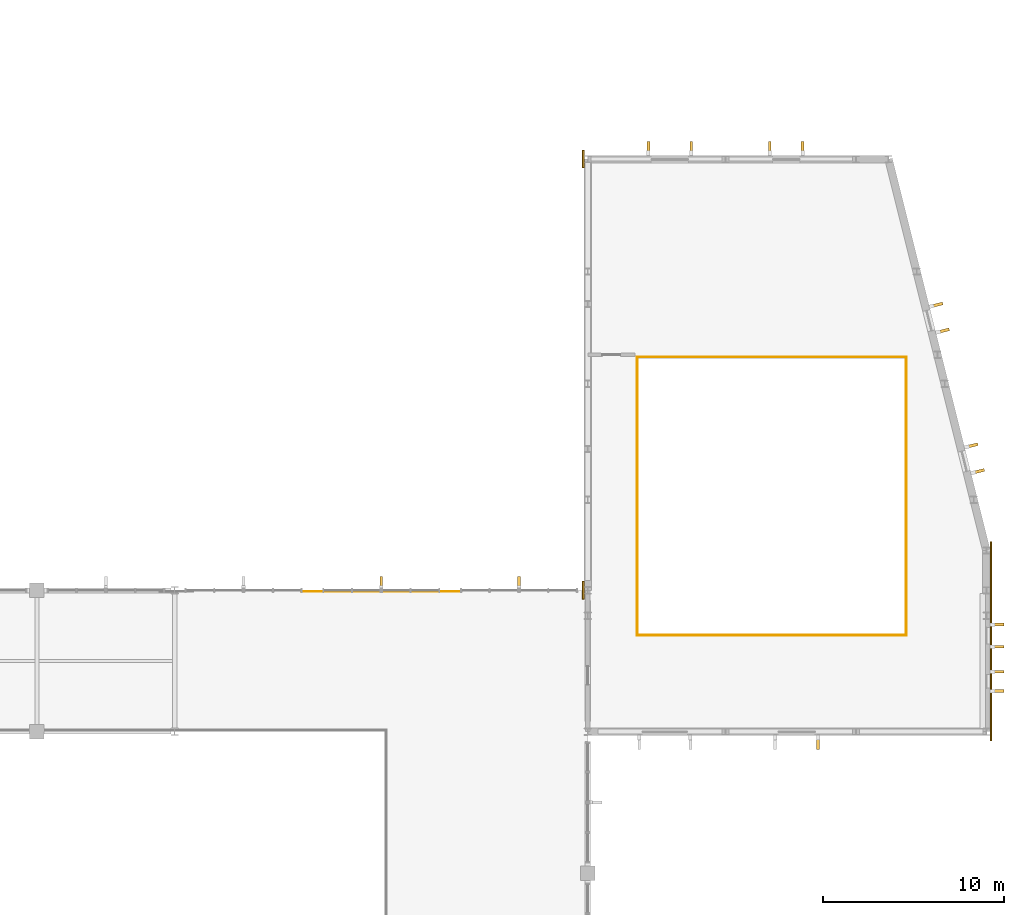
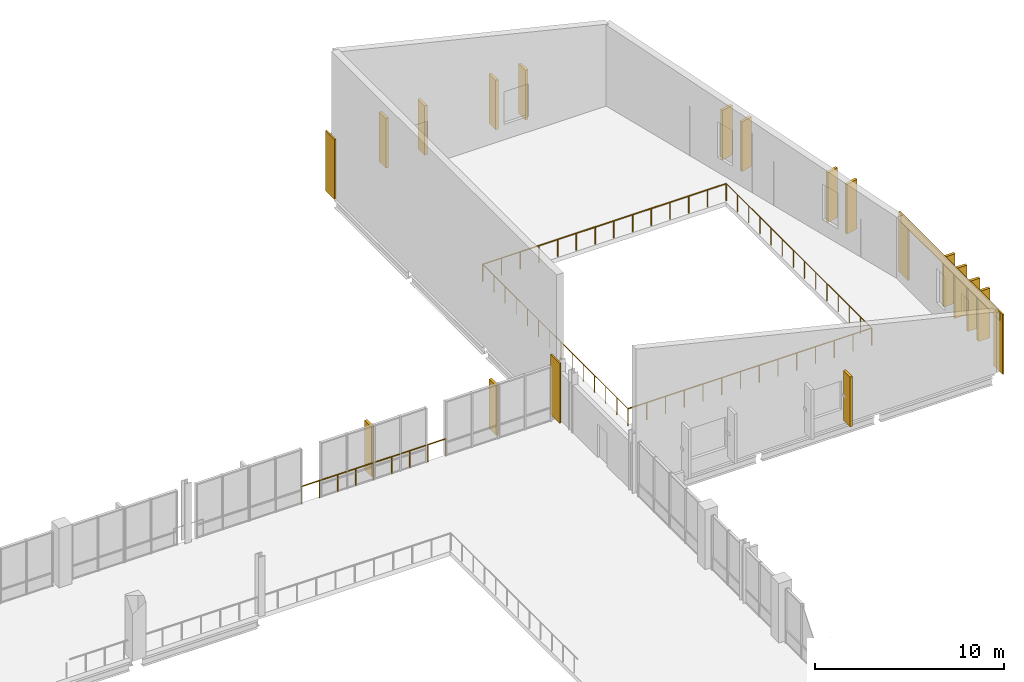
# One storey, part 64 of 64: 15 shading devices, 5 coverings, 5 railings.
"""IFC4 building model written with IfcOpenShell, lengths in metres."""

from ifc_helpers import new_model, si_unit, direction, frame, origin, origin_2d, place, context, subcontext, project, spatial, rectangle, circle, extrude, material, layer, layer_set, type_object, element, save


model = new_model("IFC4")

# Units and contexts
model_context = context("Model", 3, precision=1e-05, world=origin(), true_north=direction((0.0, 1.0)))
body_context = subcontext(model_context, "Body", "Model", "MODEL_VIEW")
ifc_project = project(units=[si_unit("LENGTHUNIT", "METRE"), si_unit("AREAUNIT", "SQUARE_METRE"), si_unit("VOLUMEUNIT", "CUBIC_METRE"), si_unit("PLANEANGLEUNIT", "RADIAN"), si_unit("MASSUNIT", "GRAM", prefix="KILO")], contexts=[model_context])

# Site, building, storey
site_placement = place(None, origin())
site = spatial("IfcSite", under=ifc_project, at=site_placement, CompositionType="ELEMENT")
building_placement = place(site_placement, origin())
building = spatial("IfcBuilding", under=site, at=building_placement, Name="Vervanel Yard Central Library", CompositionType="ELEMENT")
storey_placement = place(building_placement, frame((0.0, 0.0, 8.93994140625)))
storey = spatial("IfcBuildingStorey", under=building, at=storey_placement, Name="L02", CompositionType="ELEMENT", Elevation=8.93994140625)

# Coverings
ifc_material_1 = material(Name="Precast concrete C45/55", Category="concrete")
ifc_layer = layer(ifc_material_1, 0.0849609375, Category="concrete")
ifc_layer_set = layer_set([ifc_layer], Name="Precast concrete C45/55")
covering_type = type_object("IfcCoveringType", Name="Bush-Hammered Precast Architectural Cladding Panel", PredefinedType="CLADDING", material=ifc_layer_set)
covering_placement = place(storey_placement, frame((168.25, 79.39990234375, 3.320068359375), z_axis=(0.0, 0.0, 1.0), x_axis=(0.0, 1.0, 0.0)))
element("IfcCovering", 1, at=covering_placement, inside=storey, type_object=covering_type, Name="L02 Precast Concrete Spandrel Cornice EWALL-L02-0187", PredefinedType="CLADDING", context=body_context, shape_type="SweptSolid", body=[
    extrude(rectangle(XDim=10.449951171875, YDim=0.0849609375, at=origin_2d()), origin(), (0.0, 0.0, 1.0), 0.5400390625),
])
for number, where, z_axis, x_axis, name in (
    (2, (168.25244140625, 74.39990234375, 0.0), (0.0, 0.0, 1.0), (0.0, 1.0, 0.0), "L02 Precast Concrete Pier Pilaster EWALL-L02-0187-A"),
    (3, (168.25244140625, 84.39990234375, 0.0), (0.0, 0.0, 1.0), (0.0, 1.0, 0.0), "L02 Precast Concrete Pier Pilaster EWALL-L02-0187-B"),
    (4, (145.74755859375, 82.199951171875, 0.0), (0.0, 0.0, 1.0), (0.0, 1.0, 0.0), "L02 Precast Concrete Pier Pilaster EWALL-L02-0191-A"),
    (5, (145.74755859375, 106.0, 0.0), (0.0, 0.0, 1.0), (0.0, 1.0, 0.0), "L02 Precast Concrete Pier Pilaster EWALL-L02-0191-B"),
):
    element("IfcCovering", number, at=place(storey_placement, frame(where, z_axis=z_axis, x_axis=x_axis)), inside=storey, type_object=covering_type, Name=name, PredefinedType="CLADDING", context=body_context, shape_type="SweptSolid", body=[
        extrude(rectangle(XDim=0.97998046875, YDim=0.0849609375, at=origin_2d()), origin(), (0.0, 0.0, 1.0), 3.860107421875),
    ])

# Railings
ifc_material_2 = material(Name="Brushed stainless steel AISI 316", Category="steel")
railing_type = type_object("IfcRailingType", Name="Glazed Atrium & Gallery Balustrade 1120", PredefinedType="BALUSTRADE", material=ifc_material_2)
railing_1_placement = place(storey_placement, frame((130.199951171875, 82.139892578125, 0.0)))
element("IfcRailing", 6, at=railing_1_placement, inside=storey, type_object=railing_type, Name="L02 Perimeter Gap Guard V3-L02-N-GAP1", PredefinedType="BALUSTRADE", context=body_context, shape_type="SweptSolid", body=[
    extrude(circle(Radius=0.02392578125, at=origin_2d()), frame((0.0, 0.0, 1.09619140625), z_axis=(1.0, 0.0, 0.0), x_axis=(0.0, 1.0, 0.0)), (0.0, 0.0, 1.0), 8.800048828125),
    extrude(circle(Radius=0.02099609375, at=origin_2d()), origin(), (0.0, 0.0, 1.0), 1.072021484375),
    extrude(circle(Radius=0.02099609375, at=origin_2d()), frame((1.10009765625, 0.0, 0.0)), (0.0, 0.0, 1.0), 1.072021484375),
    extrude(circle(Radius=0.02099609375, at=origin_2d()), frame((2.199951171875, 0.0, 0.0)), (0.0, 0.0, 1.0), 1.072021484375),
    extrude(circle(Radius=0.02099609375, at=origin_2d()), frame((3.300048828125, 0.0, 0.0)), (0.0, 0.0, 1.0), 1.072021484375),
    extrude(circle(Radius=0.02099609375, at=origin_2d()), frame((4.39990234375, 0.0, 0.0)), (0.0, 0.0, 1.0), 1.072021484375),
    extrude(circle(Radius=0.02099609375, at=origin_2d()), frame((5.5, 0.0, 0.0)), (0.0, 0.0, 1.0), 1.072021484375),
    extrude(circle(Radius=0.02099609375, at=origin_2d()), frame((6.60009765625, 0.0, 0.0)), (0.0, 0.0, 1.0), 1.072021484375),
    extrude(circle(Radius=0.02099609375, at=origin_2d()), frame((7.699951171875, 0.0, 0.0)), (0.0, 0.0, 1.0), 1.072021484375),
    extrude(circle(Radius=0.02099609375, at=origin_2d()), frame((8.800048828125, 0.0, 0.0)), (0.0, 0.0, 1.0), 1.072021484375),
])
railing_2_placement = place(storey_placement, frame((148.719970703125, 79.719970703125, 0.0)))
element("IfcRailing", 7, at=railing_2_placement, inside=storey, type_object=railing_type, Name="L02 Void Guard V4AUD-GD-L02 S", PredefinedType="BALUSTRADE", context=body_context, shape_type="SweptSolid", body=[
    extrude(circle(Radius=0.02392578125, at=origin_2d()), frame((0.0, 0.0, 1.09619140625), z_axis=(1.0, 0.0, 0.0), x_axis=(0.0, 1.0, 0.0)), (0.0, 0.0, 1.0), 14.860107421875),
    extrude(circle(Radius=0.02099609375, at=origin_2d()), origin(), (0.0, 0.0, 1.0), 1.072021484375),
    extrude(circle(Radius=0.02099609375, at=origin_2d()), frame((1.14306640625, 0.0, 0.0)), (0.0, 0.0, 1.0), 1.072021484375),
    extrude(circle(Radius=0.02099609375, at=origin_2d()), frame((2.2861328125, 0.0, 0.0)), (0.0, 0.0, 1.0), 1.072021484375),
    extrude(circle(Radius=0.02099609375, at=origin_2d()), frame((3.42919921875, 0.0, 0.0)), (0.0, 0.0, 1.0), 1.072021484375),
    extrude(circle(Radius=0.02099609375, at=origin_2d()), frame((4.572265625, 0.0, 0.0)), (0.0, 0.0, 1.0), 1.072021484375),
    extrude(circle(Radius=0.02099609375, at=origin_2d()), frame((5.71533203125, 0.0, 0.0)), (0.0, 0.0, 1.0), 1.072021484375),
    extrude(circle(Radius=0.02099609375, at=origin_2d()), frame((6.8583984375, 0.0, 0.0)), (0.0, 0.0, 1.0), 1.072021484375),
    extrude(circle(Radius=0.02099609375, at=origin_2d()), frame((8.001708984375, 0.0, 0.0)), (0.0, 0.0, 1.0), 1.072021484375),
    extrude(circle(Radius=0.02099609375, at=origin_2d()), frame((9.144775390625, 0.0, 0.0)), (0.0, 0.0, 1.0), 1.072021484375),
    extrude(circle(Radius=0.02099609375, at=origin_2d()), frame((10.287841796875, 0.0, 0.0)), (0.0, 0.0, 1.0), 1.072021484375),
    extrude(circle(Radius=0.02099609375, at=origin_2d()), frame((11.430908203125, 0.0, 0.0)), (0.0, 0.0, 1.0), 1.072021484375),
    extrude(circle(Radius=0.02099609375, at=origin_2d()), frame((12.573974609375, 0.0, 0.0)), (0.0, 0.0, 1.0), 1.072021484375),
    extrude(circle(Radius=0.02099609375, at=origin_2d()), frame((13.717041015625, 0.0, 0.0)), (0.0, 0.0, 1.0), 1.072021484375),
    extrude(circle(Radius=0.02099609375, at=origin_2d()), frame((14.860107421875, 0.0, 0.0)), (0.0, 0.0, 1.0), 1.072021484375),
])
railing_3_placement = place(storey_placement, frame((163.580078125, 79.719970703125, 0.0)))
element("IfcRailing", 8, at=railing_3_placement, inside=storey, type_object=railing_type, Name="L02 Void Guard V4AUD-GD-L02 E", PredefinedType="BALUSTRADE", context=body_context, shape_type="SweptSolid", body=[
    extrude(circle(Radius=0.02392578125, at=origin_2d()), frame((0.0, 0.0, 1.09619140625), z_axis=(0.0, 1.0, 0.0), x_axis=(-1.0, 0.0, 0.0)), (0.0, 0.0, 1.0), 15.360107421875),
    extrude(circle(Radius=0.02099609375, at=origin_2d()), origin(), (0.0, 0.0, 1.0), 1.072021484375),
    extrude(circle(Radius=0.02099609375, at=origin_2d()), frame((0.0, 1.181640625, 0.0)), (0.0, 0.0, 1.0), 1.072021484375),
    extrude(circle(Radius=0.02099609375, at=origin_2d()), frame((0.0, 2.363037109375, 0.0)), (0.0, 0.0, 1.0), 1.072021484375),
    extrude(circle(Radius=0.02099609375, at=origin_2d()), frame((0.0, 3.544677734375, 0.0)), (0.0, 0.0, 1.0), 1.072021484375),
    extrude(circle(Radius=0.02099609375, at=origin_2d()), frame((0.0, 4.72607421875, 0.0)), (0.0, 0.0, 1.0), 1.072021484375),
    extrude(circle(Radius=0.02099609375, at=origin_2d()), frame((0.0, 5.90771484375, 0.0)), (0.0, 0.0, 1.0), 1.072021484375),
    extrude(circle(Radius=0.02099609375, at=origin_2d()), frame((0.0, 7.08935546875, 0.0)), (0.0, 0.0, 1.0), 1.072021484375),
    extrude(circle(Radius=0.02099609375, at=origin_2d()), frame((0.0, 8.270751953125, 0.0)), (0.0, 0.0, 1.0), 1.072021484375),
    extrude(circle(Radius=0.02099609375, at=origin_2d()), frame((0.0, 9.452392578125, 0.0)), (0.0, 0.0, 1.0), 1.072021484375),
    extrude(circle(Radius=0.02099609375, at=origin_2d()), frame((0.0, 10.634033203125, 0.0)), (0.0, 0.0, 1.0), 1.072021484375),
    extrude(circle(Radius=0.02099609375, at=origin_2d()), frame((0.0, 11.8154296875, 0.0)), (0.0, 0.0, 1.0), 1.072021484375),
    extrude(circle(Radius=0.02099609375, at=origin_2d()), frame((0.0, 12.9970703125, 0.0)), (0.0, 0.0, 1.0), 1.072021484375),
    extrude(circle(Radius=0.02099609375, at=origin_2d()), frame((0.0, 14.178466796875, 0.0)), (0.0, 0.0, 1.0), 1.072021484375),
    extrude(circle(Radius=0.02099609375, at=origin_2d()), frame((0.0, 15.360107421875, 0.0)), (0.0, 0.0, 1.0), 1.072021484375),
])
railing_4_placement = place(storey_placement, frame((163.580078125, 95.080078125, 0.0)))
element("IfcRailing", 9, at=railing_4_placement, inside=storey, type_object=railing_type, Name="L02 Void Guard V4AUD-GD-L02 N", PredefinedType="BALUSTRADE", context=body_context, shape_type="SweptSolid", body=[
    extrude(circle(Radius=0.02392578125, at=origin_2d()), frame((0.0, 0.0, 1.09619140625), z_axis=(-1.0, 0.0, 0.0), x_axis=(0.0, -1.0, 0.0)), (0.0, 0.0, 1.0), 14.860107421875),
    extrude(circle(Radius=0.02099609375, at=origin_2d()), origin(), (0.0, 0.0, 1.0), 1.072021484375),
    extrude(circle(Radius=0.02099609375, at=origin_2d()), frame((-1.14306640625, 0.0, 0.0)), (0.0, 0.0, 1.0), 1.072021484375),
    extrude(circle(Radius=0.02099609375, at=origin_2d()), frame((-2.2861328125, 0.0, 0.0)), (0.0, 0.0, 1.0), 1.072021484375),
    extrude(circle(Radius=0.02099609375, at=origin_2d()), frame((-3.42919921875, 0.0, 0.0)), (0.0, 0.0, 1.0), 1.072021484375),
    extrude(circle(Radius=0.02099609375, at=origin_2d()), frame((-4.572265625, 0.0, 0.0)), (0.0, 0.0, 1.0), 1.072021484375),
    extrude(circle(Radius=0.02099609375, at=origin_2d()), frame((-5.71533203125, 0.0, 0.0)), (0.0, 0.0, 1.0), 1.072021484375),
    extrude(circle(Radius=0.02099609375, at=origin_2d()), frame((-6.8583984375, 0.0, 0.0)), (0.0, 0.0, 1.0), 1.072021484375),
    extrude(circle(Radius=0.02099609375, at=origin_2d()), frame((-8.001708984375, 0.0, 0.0)), (0.0, 0.0, 1.0), 1.072021484375),
    extrude(circle(Radius=0.02099609375, at=origin_2d()), frame((-9.144775390625, 0.0, 0.0)), (0.0, 0.0, 1.0), 1.072021484375),
    extrude(circle(Radius=0.02099609375, at=origin_2d()), frame((-10.287841796875, 0.0, 0.0)), (0.0, 0.0, 1.0), 1.072021484375),
    extrude(circle(Radius=0.02099609375, at=origin_2d()), frame((-11.430908203125, 0.0, 0.0)), (0.0, 0.0, 1.0), 1.072021484375),
    extrude(circle(Radius=0.02099609375, at=origin_2d()), frame((-12.573974609375, 0.0, 0.0)), (0.0, 0.0, 1.0), 1.072021484375),
    extrude(circle(Radius=0.02099609375, at=origin_2d()), frame((-13.717041015625, 0.0, 0.0)), (0.0, 0.0, 1.0), 1.072021484375),
    extrude(circle(Radius=0.02099609375, at=origin_2d()), frame((-14.860107421875, 0.0, 0.0)), (0.0, 0.0, 1.0), 1.072021484375),
])
railing_5_placement = place(storey_placement, frame((148.719970703125, 95.080078125, 0.0)))
element("IfcRailing", 10, at=railing_5_placement, inside=storey, type_object=railing_type, Name="L02 Void Guard V4AUD-GD-L02 W", PredefinedType="BALUSTRADE", context=body_context, shape_type="SweptSolid", body=[
    extrude(circle(Radius=0.02392578125, at=origin_2d()), frame((0.0, 0.0, 1.09619140625), z_axis=(0.0, -1.0, 0.0), x_axis=(1.0, 0.0, 0.0)), (0.0, 0.0, 1.0), 15.360107421875),
    extrude(circle(Radius=0.02099609375, at=origin_2d()), origin(), (0.0, 0.0, 1.0), 1.072021484375),
    extrude(circle(Radius=0.02099609375, at=origin_2d()), frame((0.0, -1.181640625, 0.0)), (0.0, 0.0, 1.0), 1.072021484375),
    extrude(circle(Radius=0.02099609375, at=origin_2d()), frame((0.0, -2.363037109375, 0.0)), (0.0, 0.0, 1.0), 1.072021484375),
    extrude(circle(Radius=0.02099609375, at=origin_2d()), frame((0.0, -3.544677734375, 0.0)), (0.0, 0.0, 1.0), 1.072021484375),
    extrude(circle(Radius=0.02099609375, at=origin_2d()), frame((0.0, -4.72607421875, 0.0)), (0.0, 0.0, 1.0), 1.072021484375),
    extrude(circle(Radius=0.02099609375, at=origin_2d()), frame((0.0, -5.90771484375, 0.0)), (0.0, 0.0, 1.0), 1.072021484375),
    extrude(circle(Radius=0.02099609375, at=origin_2d()), frame((0.0, -7.08935546875, 0.0)), (0.0, 0.0, 1.0), 1.072021484375),
    extrude(circle(Radius=0.02099609375, at=origin_2d()), frame((0.0, -8.270751953125, 0.0)), (0.0, 0.0, 1.0), 1.072021484375),
    extrude(circle(Radius=0.02099609375, at=origin_2d()), frame((0.0, -9.452392578125, 0.0)), (0.0, 0.0, 1.0), 1.072021484375),
    extrude(circle(Radius=0.02099609375, at=origin_2d()), frame((0.0, -10.634033203125, 0.0)), (0.0, 0.0, 1.0), 1.072021484375),
    extrude(circle(Radius=0.02099609375, at=origin_2d()), frame((0.0, -11.8154296875, 0.0)), (0.0, 0.0, 1.0), 1.072021484375),
    extrude(circle(Radius=0.02099609375, at=origin_2d()), frame((0.0, -12.9970703125, 0.0)), (0.0, 0.0, 1.0), 1.072021484375),
    extrude(circle(Radius=0.02099609375, at=origin_2d()), frame((0.0, -14.178466796875, 0.0)), (0.0, 0.0, 1.0), 1.072021484375),
    extrude(circle(Radius=0.02099609375, at=origin_2d()), frame((0.0, -15.360107421875, 0.0)), (0.0, 0.0, 1.0), 1.072021484375),
])

# Shading devices
shading_device_type = type_object("IfcShadingDeviceType", Name="Vertical Precast Solar Fin 160x720x3200", PredefinedType="JALOUSIE", material=ifc_material_1)
for number, where, z_axis, x_axis, name in (
    (11, (134.60009765625, 82.610107421875, 0.1552734375), (0.0, 0.0, 1.0), (1.0, 0.0, 0.0), "L02 Precast Solar Fin 475"),
    (12, (142.199951171875, 82.610107421875, 0.1552734375), (0.0, 0.0, 1.0), (1.0, 0.0, 0.0), "L02 Precast Solar Fin 476"),
    (13, (158.7099609375, 73.7900390625, 0.27490234375), (0.0, 0.0, 1.0), (1.0, 0.0, 0.0), "L02 Precast Solar Fin 536"),
    (14, (168.610107421875, 76.639892578125, 0.5), (0.0, 0.0, 1.0), (0.0, 1.0, 0.0), "L02 Precast Solar Fin 537"),
    (15, (168.610107421875, 77.7099609375, 0.5), (0.0, 0.0, 1.0), (0.0, 1.0, 0.0), "L02 Precast Solar Fin 538"),
    (16, (168.610107421875, 79.090087890625, 0.5), (0.0, 0.0, 1.0), (0.0, 1.0, 0.0), "L02 Precast Solar Fin 539"),
    (17, (168.610107421875, 80.31005859375, 0.5), (0.0, 0.0, 1.0), (0.0, 1.0, 0.0), "L02 Precast Solar Fin 540"),
    (18, (167.539306640625, 88.75830078125, 0.5), (0.0, 0.0, 1.0), (-0.242534889029, 0.970142684147, 0.0), "L02 Precast Solar Fin 541"),
    (19, (167.1826171875, 90.1845703125, 0.5), (0.0, 0.0, 1.0), (-0.242534889029, 0.970142684147, 0.0), "L02 Precast Solar Fin 542"),
    (20, (165.598876953125, 96.51953125, 0.5), (0.0, 0.0, 1.0), (-0.242534889029, 0.970142684147, 0.0), "L02 Precast Solar Fin 543"),
    (21, (165.2421875, 97.945556640625, 0.5), (0.0, 0.0, 1.0), (-0.242534889029, 0.970142684147, 0.0), "L02 Precast Solar Fin 544"),
    (22, (149.340087890625, 106.610107421875, 0.3251953125), (0.0, 0.0, 1.0), (1.0, 0.0, 0.0), "L02 Precast Solar Fin 545"),
    (23, (151.7099609375, 106.610107421875, 0.3251953125), (0.0, 0.0, 1.0), (1.0, 0.0, 0.0), "L02 Precast Solar Fin 546"),
    (24, (156.0400390625, 106.610107421875, 0.4501953125), (0.0, 0.0, 1.0), (1.0, 0.0, 0.0), "L02 Precast Solar Fin 547"),
    (25, (157.860107421875, 106.610107421875, 0.4501953125), (0.0, 0.0, 1.0), (1.0, 0.0, 0.0), "L02 Precast Solar Fin 548"),
):
    element("IfcShadingDevice", number, at=place(storey_placement, frame(where, z_axis=z_axis, x_axis=x_axis)), inside=storey, type_object=shading_device_type, Name=name, PredefinedType="JALOUSIE", context=body_context, shape_type="SweptSolid", body=[
        extrude(rectangle(XDim=0.159912109375, YDim=0.719970703125, at=origin_2d()), origin(), (0.0, 0.0, 1.0), 3.199951171875),
    ])

save(model, "model.ifc")
